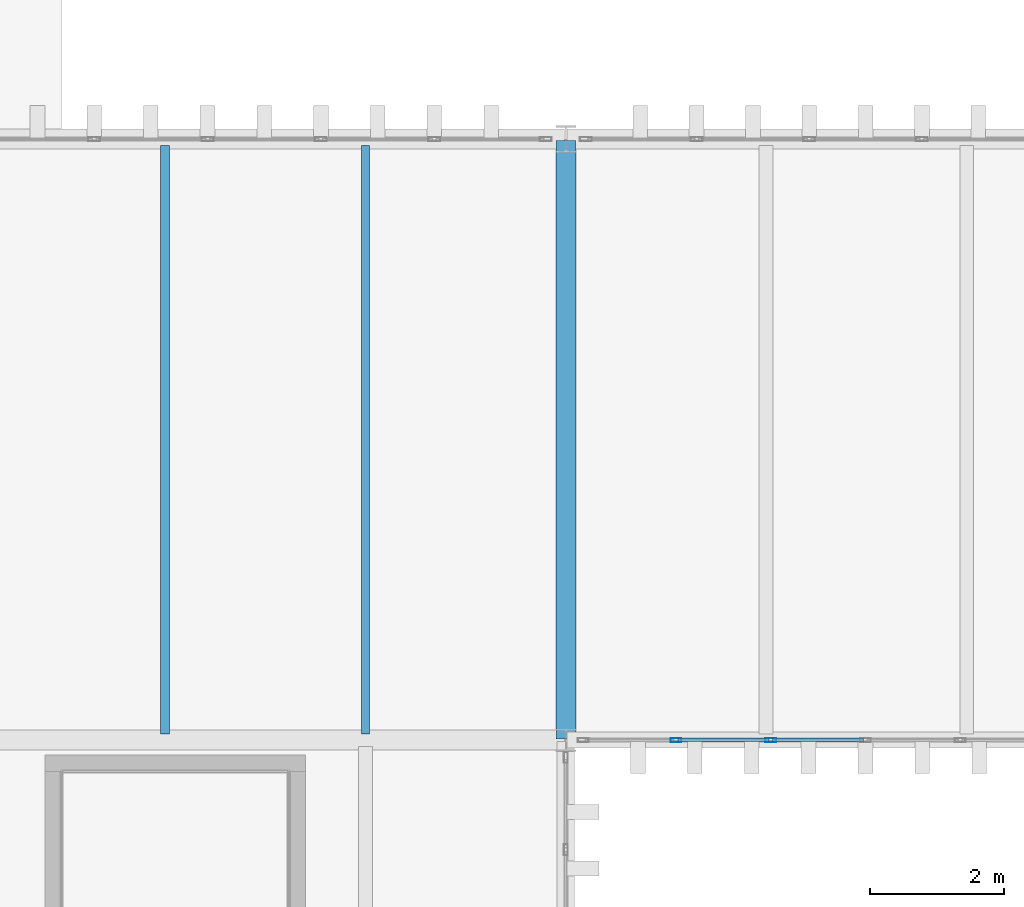
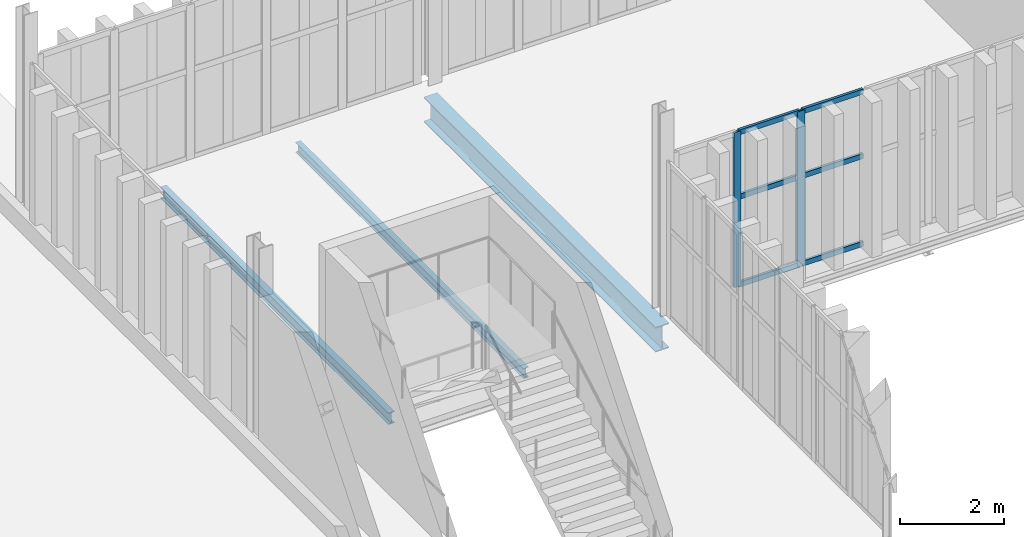
# One storey, part 134 of 196: 8 members, 3 beams, 1 element without a shape of its own.
"""IFC4 building model written with IfcOpenShell, lengths in metres."""

import ifcopenshell
import ifcopenshell.guid

model = None  # the IFC model being written
_history = None  # IfcOwnerHistory: only IFC2X3 demands one
_inside = {}  # id of a spatial element -> (the spatial element, [elements in it])
_under = {}  # id of a project, library or spatial element -> (it, [spatial elements below it])
_declared = {}  # id of a project -> (the project, [libraries it declares])
_typed = {}  # id of a type object -> (the type object, [elements of that type])
_made_of = {}  # id of a material, layer set ... -> (it, [elements and type objects made of it])


def new_model(schema):
    """Start an empty IFC model of exactly this schema.

    Asked for "IFC4X3", IfcOpenShell would pick the latest addendum, in which some entities
    have other attributes; the version numbers below select the first issue.
    IFC2X3 requires an IfcOwnerHistory on every rooted entity: one is made here for all.
    """
    global model, _history
    if schema == "IFC4X3":
        model = ifcopenshell.file(schema_version=(4, 3, 0, 0))
    else:
        model = ifcopenshell.file(schema=schema)
    _inside.clear()
    _under.clear()
    _declared.clear()
    _typed.clear()
    _made_of.clear()
    _history = None
    if model.schema == "IFC2X3":
        org = make("IfcOrganization", Name="unknown")
        user = make(
            "IfcPersonAndOrganization",
            ThePerson=make("IfcPerson", FamilyName="unknown"),
            TheOrganization=org,
        )
        app = make(
            "IfcApplication",
            ApplicationDeveloper=org,
            Version="unknown",
            ApplicationFullName="unknown",
            ApplicationIdentifier="unknown",
        )
        _history = make(
            "IfcOwnerHistory",
            OwningUser=user,
            OwningApplication=app,
            ChangeAction="ADDED",
            CreationDate=0,
        )
    return model


def make(cls, **values):
    """One entity of the class cls with the attributes given. An attribute that is None is left unset."""
    return model.create_entity(
        cls, **{name: value for name, value in values.items() if value is not None}
    )


def rooted(cls, **values):
    """An entity with a GlobalId (a new one), such as an element, a storey or a relation."""
    return make(cls, GlobalId=ifcopenshell.guid.new(), OwnerHistory=_history, **values)


def si_unit(unit_type, name, prefix=None):
    """IfcSIUnit, for example si_unit("LENGTHUNIT", "METRE", prefix="MILLI")."""
    return make("IfcSIUnit", UnitType=unit_type, Prefix=prefix, Name=name)


def assignment(units):
    """IfcUnitAssignment: the units of a project."""
    return None if units is None else make("IfcUnitAssignment", Units=units)


def point(xyz):
    """IfcCartesianPoint."""
    return None if xyz is None else make("IfcCartesianPoint", Coordinates=xyz)


def direction(xyz):
    """IfcDirection."""
    return None if xyz is None else make("IfcDirection", DirectionRatios=xyz)


def frame(location, z_axis=None, x_axis=None):
    """IfcAxis2Placement3D, a coordinate frame: its origin and axes. An axis left out is left unset."""
    return make(
        "IfcAxis2Placement3D",
        Location=point(location),
        Axis=direction(z_axis),
        RefDirection=direction(x_axis),
    )


def frame_2d(location, x_axis=None):
    """IfcAxis2Placement2D, a coordinate frame in the plane: its origin and x axis."""
    return make(
        "IfcAxis2Placement2D", Location=point(location), RefDirection=direction(x_axis)
    )


def origin():
    """The frame at (0, 0, 0) with its axes left unset."""
    return frame((0.0, 0.0, 0.0))


def origin_2d():
    """The frame at (0, 0) in the plane with its x axis left unset."""
    return frame_2d((0.0, 0.0))


def place(relative_to, where):
    """IfcLocalPlacement: puts the frame where relative to a parent placement (None: the world)."""
    return make(
        "IfcLocalPlacement", PlacementRelTo=relative_to, RelativePlacement=where
    )


def context(
    kind, dimensions, precision=None, world=None, true_north=None, identifier=None
):
    """IfcGeometricRepresentationContext, for example the 3D "Model" context."""
    return make(
        "IfcGeometricRepresentationContext",
        ContextIdentifier=identifier,
        ContextType=kind,
        CoordinateSpaceDimension=dimensions,
        Precision=precision,
        WorldCoordinateSystem=world,
        TrueNorth=true_north,
    )


def subcontext(parent, identifier, kind, view, scale=None):
    """IfcGeometricRepresentationSubContext, for example "Body" below "Model"."""
    return make(
        "IfcGeometricRepresentationSubContext",
        ContextIdentifier=identifier,
        ContextType=kind,
        ParentContext=parent,
        TargetScale=scale,
        TargetView=view,
    )


def project(units=None, contexts=None):
    """IfcProject with its units and contexts."""
    return rooted(
        "IfcProject",
        Name="project",
        RepresentationContexts=contexts,
        UnitsInContext=assignment(units),
    )


def spatial(cls, under=None, at=None, **own):
    """A site, building, storey or space (cls), placed at a placement, below another one or the project."""
    s = rooted(cls, ObjectPlacement=at, **own)
    if under is not None:
        _under.setdefault(under.id(), (under, []))[1].append(s)
    return s


def profile(cls, at=None, kind="AREA", **sizes):
    """A parametric profile (cls). Its sizes go by their IFC names, for example OverallWidth=200.0."""
    return make(cls, ProfileType=kind, Position=at, **sizes)


def hollow_rectangle(**sizes):
    """IfcRectangleHollowProfileDef."""
    return profile("IfcRectangleHollowProfileDef", **sizes)


def i_section(**sizes):
    """IfcIShapeProfileDef."""
    return profile("IfcIShapeProfileDef", **sizes)


def extrude(swept, where, along, depth):
    """IfcExtrudedAreaSolid: the profile swept, set in the frame where, extruded along a direction by depth."""
    return make(
        "IfcExtrudedAreaSolid",
        SweptArea=swept,
        Position=where,
        ExtrudedDirection=direction(along),
        Depth=depth,
    )


def shape(context_of_items, identifier, shape_type, items):
    """IfcShapeRepresentation: the items that make up one representation, for example the "Body"."""
    return make(
        "IfcShapeRepresentation",
        ContextOfItems=context_of_items,
        RepresentationIdentifier=identifier,
        RepresentationType=shape_type,
        Items=items,
    )


def material(Name=None, Category=None):
    """IfcMaterial."""
    return make("IfcMaterial", Name=Name, Category=Category)


def layer(
    of_material, thickness, ventilated=None, Name=None, Category=None, Priority=None
):
    """IfcMaterialLayer: one layer of a wall or slab, of a material (None: an air gap)."""
    return make(
        "IfcMaterialLayer",
        Material=of_material,
        LayerThickness=thickness,
        IsVentilated=ventilated,
        Name=Name,
        Category=Category,
        Priority=Priority,
    )


def layer_set(layers, Name=None):
    """IfcMaterialLayerSet."""
    return make("IfcMaterialLayerSet", MaterialLayers=layers, LayerSetName=Name)


def material_profile(
    of_material, cross_section, Name=None, Category=None, Priority=None
):
    """IfcMaterialProfile: a cross section and its material."""
    return make(
        "IfcMaterialProfile",
        Name=Name,
        Material=of_material,
        Profile=cross_section,
        Priority=Priority,
        Category=Category,
    )


def profile_set(profiles, Name=None, composite=None):
    """IfcMaterialProfileSet."""
    return make(
        "IfcMaterialProfileSet",
        Name=Name,
        MaterialProfiles=profiles,
        CompositeProfile=composite,
    )


def made_of(thing, what):
    """Note that an element or type object is made of a material, layer set ...; save() writes the relation."""
    if what is not None:
        _made_of.setdefault(what.id(), (what, []))[1].append(thing)
    return thing


def type_object(cls, material=None, **own):
    """A type object (cls), such as IfcWallType, which elements share."""
    return made_of(rooted(cls, **own), material)


def element(
    cls,
    number,
    at=None,
    inside=None,
    cuts=None,
    type_object=None,
    material=None,
    context=None,
    identifier="Body",
    shape_type=None,
    held_by="IfcProductDefinitionShape",
    body=None,
    shapes=None,
    **own,
):
    """One element of the class cls, such as IfcWall. Its Tag is "e" and its number.

    at: its placement. inside: the storey or other place that contains it. cuts: it is an
    opening in that element (IfcRelVoidsElement). A single representation is given by context,
    identifier, shape_type and body (its items); several are given by shapes. held_by: the class
    of the entity that holds the representations. save() writes the other relations.
    """
    e = rooted(cls, Tag="e%d" % number, ObjectPlacement=at, **own)
    if body is not None:
        shapes = [shape(context, identifier, shape_type, body)]
    if shapes is not None:
        e.Representation = make(held_by, Representations=shapes)
    if inside is not None:
        _inside.setdefault(inside.id(), (inside, []))[1].append(e)
    if cuts is not None:
        rooted(
            "IfcRelVoidsElement", RelatingBuildingElement=cuts, RelatedOpeningElement=e
        )
    if type_object is not None:
        _typed.setdefault(type_object.id(), (type_object, []))[1].append(e)
    return made_of(e, material)


def aggregate(whole, parts):
    """IfcRelAggregates: a whole, such as a stair, and the parts it consists of."""
    return rooted("IfcRelAggregates", RelatingObject=whole, RelatedObjects=parts)


def save(model, path):
    """Write the relations noted so far, then the file.

    IfcRelAggregates (storeys below a building ...), IfcRelContainedInSpatialStructure (elements
    in a storey), IfcRelDefinesByType, IfcRelAssociatesMaterial and IfcRelDeclares: one each for
    every whole, place, type object, material and project.
    """
    for whole, parts in _under.values():
        aggregate(whole, parts)
    for where, things in _inside.values():
        rooted(
            "IfcRelContainedInSpatialStructure",
            RelatedElements=things,
            RelatingStructure=where,
        )
    for kind, things in _typed.values():
        rooted("IfcRelDefinesByType", RelatedObjects=things, RelatingType=kind)
    for what, things in _made_of.values():
        rooted("IfcRelAssociatesMaterial", RelatedObjects=things, RelatingMaterial=what)
    for by, libraries in _declared.values():
        rooted("IfcRelDeclares", RelatingContext=by, RelatedDefinitions=libraries)
    model.write(path)


model = new_model("IFC4")

# Units and contexts
model_context = context("Model", 3, precision=1e-05, world=origin(), true_north=direction((0.0, 1.0)))
body_context = subcontext(model_context, "Body", "Model", "MODEL_VIEW")
ifc_project = project(units=[si_unit("LENGTHUNIT", "METRE"), si_unit("AREAUNIT", "SQUARE_METRE"), si_unit("VOLUMEUNIT", "CUBIC_METRE"), si_unit("PLANEANGLEUNIT", "RADIAN"), si_unit("MASSUNIT", "GRAM", prefix="KILO")], contexts=[model_context])

# Site, building, storey
site_placement = place(None, origin())
site = spatial("IfcSite", under=ifc_project, at=site_placement, CompositionType="ELEMENT")
building_placement = place(site_placement, origin())
building = spatial("IfcBuilding", under=site, at=building_placement, Name="Barlavento Convention Centre", CompositionType="ELEMENT")
storey_placement = place(building_placement, frame((0.0, 0.0, 18.0)))
storey = spatial("IfcBuildingStorey", under=building, at=storey_placement, Name="L03", CompositionType="ELEMENT", Elevation=18.0)

# Curtain wall, members
ifc_material_1 = material(Name="Powder-coated aluminium and Low-E glass", Category="aluminium")
ifc_layer = layer(ifc_material_1, 0.179931640625)
ifc_layer_set = layer_set([ifc_layer], Name="ARC-CW-PATIO-B")
curtain_wall_type = type_object("IfcCurtainWallType", Name="ARC-CW-PATIO-B", PredefinedType="NOTDEFINED", material=ifc_layer_set)
curtain_wall_placement = place(storey_placement, origin())
curtain_wall = element("IfcCurtainWall", 1, at=curtain_wall_placement, inside=storey, type_object=curtain_wall_type, Name="L03 unitised curtain wall CW12", PredefinedType="NOTDEFINED")
ifc_material_2 = material(Name="Powder-coated aluminium", Category="aluminium")
ifc_material_profile_1 = material_profile(ifc_material_2, hollow_rectangle(XDim=0.06005859375, YDim=0.159912109375, WallThickness=0.00390625, at=origin_2d()), Name="AL-MULL 60x160x4")
ifc_profile_set_1 = profile_set([ifc_material_profile_1], Name="Powder-coated aluminium")
member_type_1 = type_object("IfcMemberType", Name="ARC-CWM-60X160", PredefinedType="MULLION", material=ifc_profile_set_1)
member_1_placement = place(storey_placement, frame((136.6484375, 90.0, 0.0), z_axis=(0.0, 0.0, 1.0), x_axis=(0.0, 1.0, 0.0)))
member_1 = element("IfcMember", 2, at=member_1_placement, type_object=member_type_1, Name="CW12 mullion 2", PredefinedType="MULLION", context=body_context, shape_type="SweptSolid", body=[
    extrude(hollow_rectangle(XDim=0.06005859375, YDim=0.159912109375, WallThickness=0.00390625, at=origin_2d()), origin(), (0.0, 0.0, 1.0), 3.64990234375),
])
member_2_placement = place(storey_placement, frame((138.066650390625, 90.0, 0.0), z_axis=(0.0, 0.0, 1.0), x_axis=(0.0, 1.0, 0.0)))
member_2 = element("IfcMember", 3, at=member_2_placement, type_object=member_type_1, Name="CW12 mullion 3", PredefinedType="MULLION", context=body_context, shape_type="SweptSolid", body=[
    extrude(hollow_rectangle(XDim=0.06005859375, YDim=0.159912109375, WallThickness=0.00390625, at=origin_2d()), origin(), (0.0, 0.0, 1.0), 3.64990234375),
])
ifc_material_profile_2 = material_profile(ifc_material_2, hollow_rectangle(XDim=0.06005859375, YDim=0.1201171875, WallThickness=0.00390625, at=origin_2d()), Name="AL-TRAN 60x120x4")
ifc_profile_set_2 = profile_set([ifc_material_profile_2], Name="Powder-coated aluminium")
member_type_2 = type_object("IfcMemberType", Name="ARC-CWT-60X120", PredefinedType="USERDEFINED", material=ifc_profile_set_2)
member_3_placement = place(storey_placement, frame((136.67822265625, 90.0, 0.030029296875), z_axis=(1.0, 0.0, 0.0), x_axis=(0.0, 1.0, 0.0)))
member_3 = element("IfcMember", 4, at=member_3_placement, type_object=member_type_2, Name="CW12 transom 2.1", ObjectType="TRANSOM", PredefinedType="USERDEFINED", context=body_context, shape_type="SweptSolid", body=[
    extrude(hollow_rectangle(XDim=0.06005859375, YDim=0.1201171875, WallThickness=0.00390625, at=origin_2d()), origin(), (0.0, 0.0, 1.0), 1.3583984375),
])
member_4_placement = place(storey_placement, frame((136.67822265625, 90.0, 2.10009765625), z_axis=(1.0, 0.0, 0.0), x_axis=(0.0, 1.0, 0.0)))
member_4 = element("IfcMember", 5, at=member_4_placement, type_object=member_type_2, Name="CW12 transom 2.2", ObjectType="TRANSOM", PredefinedType="USERDEFINED", context=body_context, shape_type="SweptSolid", body=[
    extrude(hollow_rectangle(XDim=0.06005859375, YDim=0.1201171875, WallThickness=0.00390625, at=origin_2d()), origin(), (0.0, 0.0, 1.0), 1.3583984375),
])
member_5_placement = place(storey_placement, frame((136.67822265625, 90.0, 3.6201171875), z_axis=(1.0, 0.0, 0.0), x_axis=(0.0, 1.0, 0.0)))
member_5 = element("IfcMember", 6, at=member_5_placement, type_object=member_type_2, Name="CW12 transom 2.3", ObjectType="TRANSOM", PredefinedType="USERDEFINED", context=body_context, shape_type="SweptSolid", body=[
    extrude(hollow_rectangle(XDim=0.06005859375, YDim=0.1201171875, WallThickness=0.00390625, at=origin_2d()), origin(), (0.0, 0.0, 1.0), 1.3583984375),
])
member_6_placement = place(storey_placement, frame((138.0966796875, 90.0, 0.030029296875), z_axis=(1.0, 0.0, 0.0), x_axis=(0.0, 1.0, 0.0)))
member_6 = element("IfcMember", 7, at=member_6_placement, type_object=member_type_2, Name="CW12 transom 3.1", ObjectType="TRANSOM", PredefinedType="USERDEFINED", context=body_context, shape_type="SweptSolid", body=[
    extrude(hollow_rectangle(XDim=0.06005859375, YDim=0.1201171875, WallThickness=0.00390625, at=origin_2d()), origin(), (0.0, 0.0, 1.0), 1.3583984375),
])
member_7_placement = place(storey_placement, frame((138.0966796875, 90.0, 2.10009765625), z_axis=(1.0, 0.0, 0.0), x_axis=(0.0, 1.0, 0.0)))
member_7 = element("IfcMember", 8, at=member_7_placement, type_object=member_type_2, Name="CW12 transom 3.2", ObjectType="TRANSOM", PredefinedType="USERDEFINED", context=body_context, shape_type="SweptSolid", body=[
    extrude(hollow_rectangle(XDim=0.06005859375, YDim=0.1201171875, WallThickness=0.00390625, at=origin_2d()), origin(), (0.0, 0.0, 1.0), 1.3583984375),
])
member_8_placement = place(storey_placement, frame((138.0966796875, 90.0, 3.6201171875), z_axis=(1.0, 0.0, 0.0), x_axis=(0.0, 1.0, 0.0)))
member_8 = element("IfcMember", 9, at=member_8_placement, type_object=member_type_2, Name="CW12 transom 3.3", ObjectType="TRANSOM", PredefinedType="USERDEFINED", context=body_context, shape_type="SweptSolid", body=[
    extrude(hollow_rectangle(XDim=0.06005859375, YDim=0.1201171875, WallThickness=0.00390625, at=origin_2d()), origin(), (0.0, 0.0, 1.0), 1.3583984375),
])
aggregate(curtain_wall, [member_1, member_2, member_3, member_4, member_5, member_6, member_7, member_8])

# Beams
ifc_material_3 = material(Name="Steel S355", Category="steel")
ifc_material_profile_3 = material_profile(ifc_material_3, i_section(OverallWidth=0.1201171875, OverallDepth=0.239990234375, WebThickness=0.006103515625, FlangeThickness=0.009765625, FilletRadius=0.014892578125, at=origin_2d()), Name="IPE 240")
ifc_profile_set_3 = profile_set([ifc_material_profile_3], Name="Steel S355")
beam_type_1 = type_object("IfcBeamType", Name="STR-BM-JST-IPE240", PredefinedType="JOIST", material=ifc_profile_set_3)
beam_1_placement = place(storey_placement, frame((132.0, 90.094970703125, -0.47998046875), z_axis=(0.0, 1.0, 0.0), x_axis=(-1.0, 0.0, 0.0)))
element("IfcBeam", 10, at=beam_1_placement, inside=storey, type_object=beam_type_1, Name="L03 composite floor joist SJ09", PredefinedType="JOIST", context=body_context, shape_type="SweptSolid", body=[
    extrude(i_section(OverallWidth=0.1201171875, OverallDepth=0.239990234375, WebThickness=0.006103515625, FlangeThickness=0.009765625, FilletRadius=0.014892578125, at=origin_2d()), origin(), (0.0, 0.0, 1.0), 8.81005859375),
])
ifc_material_profile_4 = material_profile(ifc_material_3, i_section(OverallWidth=0.135009765625, OverallDepth=0.27001953125, WebThickness=0.006591796875, FlangeThickness=0.01025390625, FilletRadius=0.014892578125, at=origin_2d()), Name="IPE 270")
ifc_profile_set_4 = profile_set([ifc_material_profile_4], Name="Steel S355")
beam_type_2 = type_object("IfcBeamType", Name="STR-BM-JST-IPE270", PredefinedType="JOIST", material=ifc_profile_set_4)
beam_2_placement = place(storey_placement, frame((129.0, 90.094970703125, -0.4951171875), z_axis=(0.0, 1.0, 0.0), x_axis=(-1.0, 0.0, 0.0)))
element("IfcBeam", 11, at=beam_2_placement, inside=storey, type_object=beam_type_2, Name="L03 composite floor joist SJ08", PredefinedType="JOIST", context=body_context, shape_type="SweptSolid", body=[
    extrude(i_section(OverallWidth=0.135009765625, OverallDepth=0.27001953125, WebThickness=0.006591796875, FlangeThickness=0.01025390625, FilletRadius=0.014892578125, at=origin_2d()), origin(), (0.0, 0.0, 1.0), 8.81005859375),
])
ifc_material_profile_5 = material_profile(ifc_material_3, i_section(OverallWidth=0.300048828125, OverallDepth=0.590087890625, WebThickness=0.012939453125, FlangeThickness=0.02490234375, FilletRadius=0.027099609375, at=origin_2d()), Name="HEA 600")
ifc_profile_set_5 = profile_set([ifc_material_profile_5], Name="Steel S355")
beam_type_3 = type_object("IfcBeamType", Name="STR-BM-PRI-HEA600", PredefinedType="BEAM", material=ifc_profile_set_5)
beam_3_placement = place(storey_placement, frame((135.0, 90.02001953125, -0.655029296875), z_axis=(0.0, 1.0, 0.0), x_axis=(-1.0, 0.0, 0.0)))
element("IfcBeam", 12, at=beam_3_placement, inside=storey, type_object=beam_type_3, Name="L03 grid girder BG18", PredefinedType="BEAM", context=body_context, shape_type="SweptSolid", body=[
    extrude(i_section(OverallWidth=0.300048828125, OverallDepth=0.590087890625, WebThickness=0.012939453125, FlangeThickness=0.02490234375, FilletRadius=0.027099609375, at=origin_2d()), origin(), (0.0, 0.0, 1.0), 8.9599609375),
])

save(model, "model.ifc")
